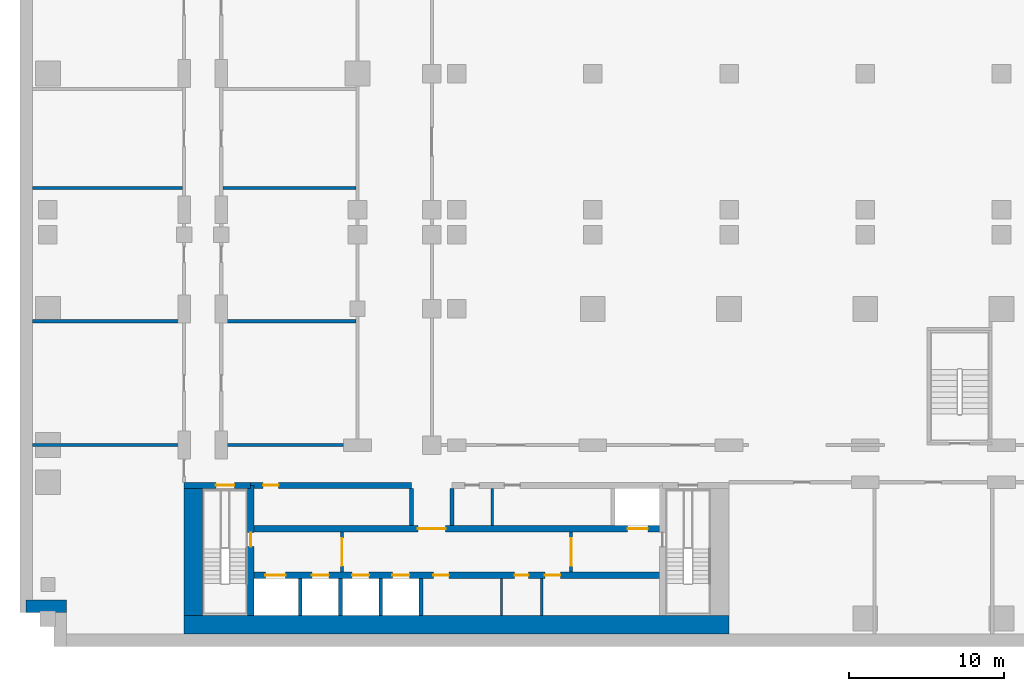
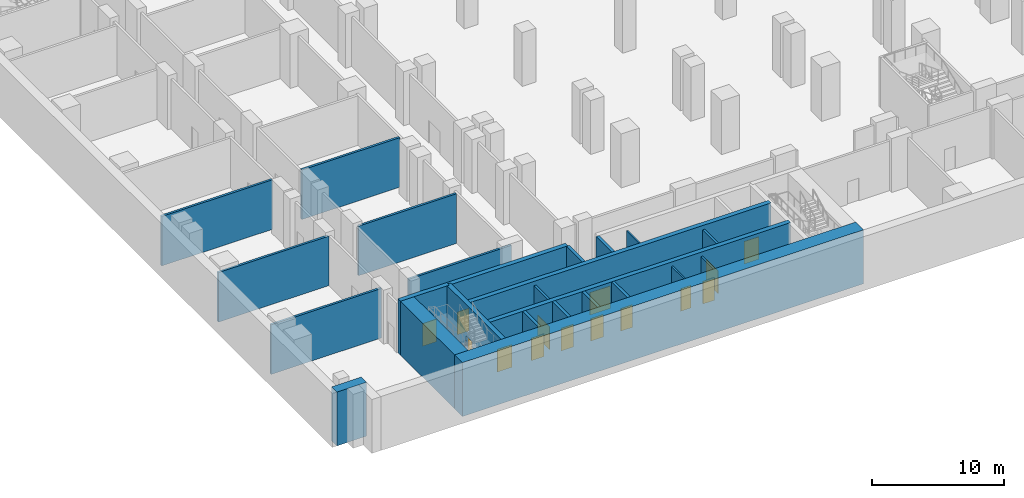
# One storey, part 2 of 12: 25 walls, 14 doors, 14 openings.
"""IFC4 building model written with IfcOpenShell, lengths in metres."""

from ifc_helpers import new_model, si_unit, direction, frame, frame_2d, origin, place, context, subcontext, project, spatial, rectangle, extrude, material, layer, layer_set, type_object, element, fill, save


model = new_model("IFC4")

# Units and contexts
model_context = context("Model", 3, precision=1e-05, world=origin(), true_north=direction((0.0, 1.0)))
body_context = subcontext(model_context, "Body", "Model", "MODEL_VIEW")
ifc_project = project(units=[si_unit("LENGTHUNIT", "METRE"), si_unit("AREAUNIT", "SQUARE_METRE"), si_unit("VOLUMEUNIT", "CUBIC_METRE"), si_unit("PLANEANGLEUNIT", "RADIAN"), si_unit("MASSUNIT", "GRAM", prefix="KILO")], contexts=[model_context])

# Site, building, storey
site_placement = place(None, origin())
site = spatial("IfcSite", under=ifc_project, at=site_placement, CompositionType="ELEMENT")
building_placement = place(site_placement, origin())
building = spatial("IfcBuilding", under=site, at=building_placement, Name="Kemantara Hotel Tower", CompositionType="ELEMENT")
storey_placement = place(building_placement, frame((0.0, 0.0, -12.0)))
storey = spatial("IfcBuildingStorey", under=building, at=storey_placement, Name="B2", CompositionType="ELEMENT", Elevation=-12.0)

# Walls
ifc_material_1 = material(Name="Concrete fc 40 MPa", Category="concrete")
ifc_layer_1 = layer(ifc_material_1, 0.800048828125)
ifc_layer_set_1 = layer_set([ifc_layer_1], Name="Concrete fc 40 MPa")
wall_type_1 = type_object("IfcWallType", Name="BASEMENT PERIMETER WALL 800 FC40", PredefinedType="SHEAR", material=ifc_layer_set_1)
wall_1_placement = place(storey_placement, frame((2.199951171875, 1.800048828125, 0.0), z_axis=(0.0, 0.0, 1.0), x_axis=(-1.0, 0.0, 0.0)))
element("IfcWall", 1, at=wall_1_placement, inside=storey, type_object=wall_type_1, Name="BASEMENT PERIMETER WALL B2 6", PredefinedType="SHEAR", context=body_context, shape_type="SweptSolid", body=[
    extrude(rectangle(XDim=2.599853515625, YDim=0.800048828125, at=frame_2d((1.2998046875, 0.0))), origin(), (0.0, 0.0, 1.0), 5.0),
])
ifc_material_2 = material(Name="Concrete fc 70 MPa", Category="concrete")
ifc_layer_2 = layer(ifc_material_2, 1.199951171875)
ifc_layer_set_2 = layer_set([ifc_layer_2], Name="Concrete fc 70 MPa")
wall_type_2 = type_object("IfcWallType", Name="CORE WALL 1200 FC70", PredefinedType="SHEAR", material=ifc_layer_set_2)
wall_2_placement = place(storey_placement, frame((9.800048828125, 0.60009765625, 0.0), z_axis=(0.0, 0.0, 1.0), x_axis=(1.0, 0.0, 0.0)))
element("IfcWall", 2, at=wall_2_placement, inside=storey, type_object=wall_type_2, Name="CORE WALL CW-S", PredefinedType="SHEAR", context=body_context, shape_type="SweptSolid", body=[
    extrude(rectangle(XDim=35.199951171875, YDim=1.199951171875, at=frame_2d((17.60009765625, 0.0))), origin(), (0.0, 0.0, 1.0), 5.0),
])
wall_3_placement = place(storey_placement, frame((10.39990234375, 1.199951171875, 0.0), z_axis=(0.0, 0.0, 1.0), x_axis=(0.0, 1.0, 0.0)))
element("IfcWall", 3, at=wall_3_placement, inside=storey, type_object=wall_type_2, Name="CORE WALL CW-W", PredefinedType="SHEAR", context=body_context, shape_type="SweptSolid", body=[
    extrude(rectangle(XDim=8.60009765625, YDim=1.199951171875, at=frame_2d((4.300048828125, 0.0))), origin(), (0.0, 0.0, 1.0), 5.0),
])
ifc_layer_3 = layer(ifc_material_2, 0.25)
ifc_layer_set_3 = layer_set([ifc_layer_3], Name="Concrete fc 70 MPa")
wall_type_3 = type_object("IfcWallType", Name="CORE WALL 250 FC70", PredefinedType="SHEAR", material=ifc_layer_set_3)
for number, where, z_axis, x_axis, name in (
    (4, (17.300048828125, 1.199951171875, 0.0), (0.0, 0.0, 1.0), (0.0, 1.0, 0.0), "CORE WALL CW-DS17.3"),
    (5, (19.89990234375, 1.199951171875, 0.0), (0.0, 0.0, 1.0), (0.0, 1.0, 0.0), "CORE WALL CW-DS19.9"),
    (6, (22.5, 1.199951171875, 0.0), (0.0, 0.0, 1.0), (0.0, 1.0, 0.0), "CORE WALL CW-DS22.5"),
    (7, (25.10009765625, 1.199951171875, 0.0), (0.0, 0.0, 1.0), (0.0, 1.0, 0.0), "CORE WALL CW-DS25.1"),
):
    element("IfcWall", number, at=place(storey_placement, frame(where, z_axis=z_axis, x_axis=x_axis)), inside=storey, type_object=wall_type_3, Name=name, PredefinedType="SHEAR", context=body_context, shape_type="SweptSolid", body=[
        extrude(rectangle(XDim=2.400146484375, YDim=0.25, at=frame_2d((1.2001953125, 0.0))), origin(), (0.0, 0.0, 1.0), 5.0),
    ])
for number, where, z_axis, x_axis, name in (
    (8, (24.5, 7.0, 0.0), (0.0, 0.0, 1.0), (0.0, 1.0, 0.0), "CORE WALL CW-DN24.5"),
    (9, (27.10009765625, 7.0, 0.0), (0.0, 0.0, 1.0), (0.0, 1.0, 0.0), "CORE WALL CW-DN27.1"),
):
    element("IfcWall", number, at=place(storey_placement, frame(where, z_axis=z_axis, x_axis=x_axis)), inside=storey, type_object=wall_type_3, Name=name, PredefinedType="SHEAR", context=body_context, shape_type="SweptSolid", body=[
        extrude(rectangle(XDim=2.39990234375, YDim=0.25, at=frame_2d((1.199951171875, 0.0))), origin(), (0.0, 0.0, 1.0), 5.0),
    ])

# Wall, opening, door
ifc_layer_4 = layer(ifc_material_2, 0.39990234375)
ifc_layer_set_4 = layer_set([ifc_layer_4], Name="Concrete fc 70 MPa")
wall_type_4 = type_object("IfcWallType", Name="CORE WALL 400 FC70", PredefinedType="SHEAR", material=ifc_layer_set_4)
wall_4_placement = place(storey_placement, frame((9.800048828125, 9.60009765625, 0.0), z_axis=(0.0, 0.0, 1.0), x_axis=(1.0, 0.0, 0.0)))
wall_4 = element("IfcWall", 10, at=wall_4_placement, inside=storey, type_object=wall_type_4, Name="CORE WALL CW-N1", PredefinedType="SHEAR", context=body_context, shape_type="SweptSolid", body=[
    extrude(rectangle(XDim=4.300048828125, YDim=0.39990234375, at=frame_2d((2.14990234375, 0.0))), origin(), (0.0, 0.0, 1.0), 5.0),
])
opening_1_placement = place(wall_4_placement, frame((2.050048828125, 0.0, 0.0)))
opening_1 = element("IfcOpeningElement", 11, at=opening_1_placement, cuts=wall_4, Name="Opening C01-ST1-C", PredefinedType="OPENING", context=body_context, shape_type="SweptSolid", body=[
    extrude(rectangle(XDim=1.199951171875, YDim=2.10009765625, at=frame_2d((0.60009765625, 1.050048828125))), frame((0.0, 0.2099609375, 0.0), z_axis=(0.0, -1.0, 0.0), x_axis=(1.0, 0.0, 0.0)), (0.0, 0.0, 1.0), 0.419921875),
])
ifc_material_3 = material(Name="Steel fire door", Category="steel")
door_type_1 = type_object("IfcDoorType", Name="Fire door FD90 1200 x 2100", OperationType="NOTDEFINED", PredefinedType="DOOR", material=ifc_material_3)
door_1_placement = place(opening_1_placement, frame((1.199951171875, 0.0, 0.0), z_axis=(0.0, 0.0, 1.0), x_axis=(-1.0, 0.0, 0.0)))
door_1 = element("IfcDoor", 12, at=door_1_placement, inside=storey, type_object=door_type_1, Name="Stair ST1 door to corridor", OperationType="SINGLE_SWING_LEFT", OverallHeight=2.10009765625, OverallWidth=1.199951171875, PredefinedType="DOOR", context=body_context, shape_type="SweptSolid", body=[
    extrude(rectangle(XDim=1.199951171875, YDim=2.10009765625, at=frame_2d((0.60009765625, 1.050048828125))), frame((0.0, 0.02490234375, 0.0), z_axis=(0.0, -1.0, 0.0), x_axis=(1.0, 0.0, 0.0)), (0.0, 0.0, 1.0), 0.050048828125),
])
fill(opening_1, door_1)

wall_5_placement = place(storey_placement, frame((14.10009765625, 9.60009765625, 0.0), z_axis=(0.0, 0.0, 1.0), x_axis=(1.0, 0.0, 0.0)))
wall_5 = element("IfcWall", 13, at=wall_5_placement, inside=storey, type_object=wall_type_4, Name="CORE WALL CW-NN1", PredefinedType="SHEAR", context=body_context, shape_type="SweptSolid", body=[
    extrude(rectangle(XDim=10.39990234375, YDim=0.39990234375, at=frame_2d((5.199951171875, 0.0))), origin(), (0.0, 0.0, 1.0), 5.0),
])
opening_2_placement = place(wall_5_placement, frame((0.800048828125, 0.0, 0.0)))
opening_2 = element("IfcOpeningElement", 14, at=opening_2_placement, cuts=wall_5, Name="Opening C01-R-NW1", PredefinedType="OPENING", context=body_context, shape_type="SweptSolid", body=[
    extrude(rectangle(XDim=1.0, YDim=2.10009765625, at=frame_2d((0.5, 1.050048828125))), frame((0.0, 0.2099609375, 0.0), z_axis=(0.0, -1.0, 0.0), x_axis=(1.0, 0.0, 0.0)), (0.0, 0.0, 1.0), 0.419921875),
])
door_type_2 = type_object("IfcDoorType", Name="Fire door FD30S 1000 x 2100", OperationType="NOTDEFINED", PredefinedType="DOOR", material=ifc_material_3)
door_2_placement = place(opening_2_placement, frame((1.0, 0.0, 0.0), z_axis=(0.0, 0.0, 1.0), x_axis=(-1.0, 0.0, 0.0)))
door_2 = element("IfcDoor", 15, at=door_2_placement, inside=storey, type_object=door_type_2, Name="Waste Store door", OperationType="SINGLE_SWING_RIGHT", OverallHeight=2.10009765625, OverallWidth=1.0, PredefinedType="DOOR", context=body_context, shape_type="SweptSolid", body=[
    extrude(rectangle(XDim=1.0, YDim=2.10009765625, at=frame_2d((0.5, 1.050048828125))), frame((0.0, 0.02490234375, 0.0), z_axis=(0.0, -1.0, 0.0), x_axis=(1.0, 0.0, 0.0)), (0.0, 0.0, 1.0), 0.050048828125),
])
fill(opening_2, door_2)

# Wall, openings, doors
wall_6_placement = place(storey_placement, frame((14.10009765625, 3.800048828125, 0.0), z_axis=(0.0, 0.0, 1.0), x_axis=(1.0, 0.0, 0.0)))
wall_6 = element("IfcWall", 16, at=wall_6_placement, inside=storey, type_object=wall_type_4, Name="CORE WALL CW-L1", PredefinedType="SHEAR", context=body_context, shape_type="SweptSolid", body=[
    extrude(rectangle(XDim=26.599853515625, YDim=0.39990234375, at=frame_2d((13.2998046875, 0.0))), origin(), (0.0, 0.0, 1.0), 5.0),
])
opening_3_placement = place(wall_6_placement, frame((0.949951171875, 0.0, 0.0)))
opening_3 = element("IfcOpeningElement", 17, at=opening_3_placement, cuts=wall_6, Name="Opening C01-LD-FF1", PredefinedType="OPENING", context=body_context, shape_type="SweptSolid", body=[
    extrude(rectangle(XDim=1.300048828125, YDim=2.10009765625, at=frame_2d((0.64990234375, 1.050048828125))), frame((0.0, 0.2099609375, 0.0), z_axis=(0.0, -1.0, 0.0), x_axis=(1.0, 0.0, 0.0)), (0.0, 0.0, 1.0), 0.419921875),
])
opening_4_placement = place(wall_6_placement, frame((3.949951171875, 0.0, 0.0)))
opening_4 = element("IfcOpeningElement", 18, at=opening_4_placement, cuts=wall_6, Name="Opening C01-LD-SV1", PredefinedType="OPENING", context=body_context, shape_type="SweptSolid", body=[
    extrude(rectangle(XDim=1.10009765625, YDim=2.10009765625, at=frame_2d((0.550048828125, 1.050048828125))), frame((0.0, 0.2099609375, 0.0), z_axis=(0.0, -1.0, 0.0), x_axis=(1.0, 0.0, 0.0)), (0.0, 0.0, 1.0), 0.419921875),
])
opening_5_placement = place(wall_6_placement, frame((6.550048828125, 0.0, 0.0)))
opening_5 = element("IfcOpeningElement", 19, at=opening_5_placement, cuts=wall_6, Name="Opening C01-LD-SV2", PredefinedType="OPENING", context=body_context, shape_type="SweptSolid", body=[
    extrude(rectangle(XDim=1.10009765625, YDim=2.10009765625, at=frame_2d((0.550048828125, 1.050048828125))), frame((0.0, 0.2099609375, 0.0), z_axis=(0.0, -1.0, 0.0), x_axis=(1.0, 0.0, 0.0)), (0.0, 0.0, 1.0), 0.419921875),
])
opening_6_placement = place(wall_6_placement, frame((9.14990234375, 0.0, 0.0)))
opening_6 = element("IfcOpeningElement", 20, at=opening_6_placement, cuts=wall_6, Name="Opening C01-LD-SV3", PredefinedType="OPENING", context=body_context, shape_type="SweptSolid", body=[
    extrude(rectangle(XDim=1.10009765625, YDim=2.10009765625, at=frame_2d((0.550048828125, 1.050048828125))), frame((0.0, 0.2099609375, 0.0), z_axis=(0.0, -1.0, 0.0), x_axis=(1.0, 0.0, 0.0)), (0.0, 0.0, 1.0), 0.419921875),
])
opening_7_placement = place(wall_6_placement, frame((11.800048828125, 0.0, 0.0)))
opening_7 = element("IfcOpeningElement", 21, at=opening_7_placement, cuts=wall_6, Name="Opening C01-R-SM1", PredefinedType="OPENING", context=body_context, shape_type="SweptSolid", body=[
    extrude(rectangle(XDim=1.0, YDim=2.10009765625, at=frame_2d((0.5, 1.050048828125))), frame((0.0, 0.2099609375, 0.0), z_axis=(0.0, -1.0, 0.0), x_axis=(1.0, 0.0, 0.0)), (0.0, 0.0, 1.0), 0.419921875),
])
opening_8_placement = place(wall_6_placement, frame((17.050048828125, 0.0, 0.0)))
opening_8 = element("IfcOpeningElement", 22, at=opening_8_placement, cuts=wall_6, Name="Opening C01-R-SM2", PredefinedType="OPENING", context=body_context, shape_type="SweptSolid", body=[
    extrude(rectangle(XDim=0.89990234375, YDim=2.10009765625, at=frame_2d((0.449951171875, 1.050048828125))), frame((0.0, 0.2099609375, 0.0), z_axis=(0.0, -1.0, 0.0), x_axis=(1.0, 0.0, 0.0)), (0.0, 0.0, 1.0), 0.419921875),
])
opening_9_placement = place(wall_6_placement, frame((19.0, 0.0, 0.0)))
opening_9 = element("IfcOpeningElement", 23, at=opening_9_placement, cuts=wall_6, Name="Opening C01-R-SM3", PredefinedType="OPENING", context=body_context, shape_type="SweptSolid", body=[
    extrude(rectangle(XDim=1.0, YDim=2.10009765625, at=frame_2d((0.5, 1.050048828125))), frame((0.0, 0.2099609375, 0.0), z_axis=(0.0, -1.0, 0.0), x_axis=(1.0, 0.0, 0.0)), (0.0, 0.0, 1.0), 0.419921875),
])
door_3_placement = place(opening_7_placement, frame((1.0, 0.0, 0.0), z_axis=(0.0, 0.0, 1.0), x_axis=(-1.0, 0.0, 0.0)))
door_3 = element("IfcDoor", 24, at=door_3_placement, inside=storey, type_object=door_type_2, Name="Linen Store door", OperationType="SINGLE_SWING_RIGHT", OverallHeight=2.10009765625, OverallWidth=1.0, PredefinedType="DOOR", context=body_context, shape_type="SweptSolid", body=[
    extrude(rectangle(XDim=1.0, YDim=2.10009765625, at=frame_2d((0.5, 1.050048828125))), frame((0.0, 0.02490234375, 0.0), z_axis=(0.0, -1.0, 0.0), x_axis=(1.0, 0.0, 0.0)), (0.0, 0.0, 1.0), 0.050048828125),
])
fill(opening_7, door_3)
door_type_3 = type_object("IfcDoorType", Name="Fire door FD30S 900 x 2100", OperationType="NOTDEFINED", PredefinedType="DOOR", material=ifc_material_3)
door_4_placement = place(opening_8_placement, frame((0.89990234375, 0.0, 0.0), z_axis=(0.0, 0.0, 1.0), x_axis=(-1.0, 0.0, 0.0)))
door_4 = element("IfcDoor", 25, at=door_4_placement, inside=storey, type_object=door_type_3, Name="Staff Wc door", OperationType="SINGLE_SWING_LEFT", OverallHeight=2.10009765625, OverallWidth=0.89990234375, PredefinedType="DOOR", context=body_context, shape_type="SweptSolid", body=[
    extrude(rectangle(XDim=0.89990234375, YDim=2.10009765625, at=frame_2d((0.449951171875, 1.050048828125))), frame((0.0, 0.02490234375, 0.0), z_axis=(0.0, -1.0, 0.0), x_axis=(1.0, 0.0, 0.0)), (0.0, 0.0, 1.0), 0.050048828125),
])
fill(opening_8, door_4)
door_type_4 = type_object("IfcDoorType", Name="Fire door FD60 1000 x 2100", OperationType="NOTDEFINED", PredefinedType="DOOR", material=ifc_material_3)
door_5_placement = place(opening_9_placement, frame((1.0, 0.0, 0.0), z_axis=(0.0, 0.0, 1.0), x_axis=(-1.0, 0.0, 0.0)))
door_5 = element("IfcDoor", 26, at=door_5_placement, inside=storey, type_object=door_type_4, Name="Lv Switch Room door", OperationType="SINGLE_SWING_LEFT", OverallHeight=2.10009765625, OverallWidth=1.0, PredefinedType="DOOR", context=body_context, shape_type="SweptSolid", body=[
    extrude(rectangle(XDim=1.0, YDim=2.10009765625, at=frame_2d((0.5, 1.050048828125))), frame((0.0, 0.02490234375, 0.0), z_axis=(0.0, -1.0, 0.0), x_axis=(1.0, 0.0, 0.0)), (0.0, 0.0, 1.0), 0.050048828125),
])
fill(opening_9, door_5)
ifc_material_4 = material(Name="Stainless steel lift door", Category="steel")
door_type_5 = type_object("IfcDoorType", Name="Lift landing door 1100 x 2100 FD60", OperationType="DOUBLE_DOOR_SLIDING", PredefinedType="DOOR", material=ifc_material_4)
door_6_placement = place(opening_4_placement, origin())
door_6 = element("IfcDoor", 27, at=door_6_placement, inside=storey, type_object=door_type_5, Name="Lift SV1 landing door", OperationType="DOUBLE_DOOR_SLIDING", OverallHeight=2.10009765625, OverallWidth=1.10009765625, PredefinedType="DOOR", context=body_context, shape_type="SweptSolid", body=[
    extrude(rectangle(XDim=1.10009765625, YDim=2.10009765625, at=frame_2d((0.550048828125, 1.050048828125))), frame((0.0, 0.02490234375, 0.0), z_axis=(0.0, -1.0, 0.0), x_axis=(1.0, 0.0, 0.0)), (0.0, 0.0, 1.0), 0.050048828125),
])
fill(opening_4, door_6)
door_7_placement = place(opening_5_placement, origin())
door_7 = element("IfcDoor", 28, at=door_7_placement, inside=storey, type_object=door_type_5, Name="Lift SV2 landing door", OperationType="DOUBLE_DOOR_SLIDING", OverallHeight=2.10009765625, OverallWidth=1.10009765625, PredefinedType="DOOR", context=body_context, shape_type="SweptSolid", body=[
    extrude(rectangle(XDim=1.10009765625, YDim=2.10009765625, at=frame_2d((0.550048828125, 1.050048828125))), frame((0.0, 0.02490234375, 0.0), z_axis=(0.0, -1.0, 0.0), x_axis=(1.0, 0.0, 0.0)), (0.0, 0.0, 1.0), 0.050048828125),
])
fill(opening_5, door_7)
door_8_placement = place(opening_6_placement, origin())
door_8 = element("IfcDoor", 29, at=door_8_placement, inside=storey, type_object=door_type_5, Name="Lift SV3 landing door", OperationType="DOUBLE_DOOR_SLIDING", OverallHeight=2.10009765625, OverallWidth=1.10009765625, PredefinedType="DOOR", context=body_context, shape_type="SweptSolid", body=[
    extrude(rectangle(XDim=1.10009765625, YDim=2.10009765625, at=frame_2d((0.550048828125, 1.050048828125))), frame((0.0, 0.02490234375, 0.0), z_axis=(0.0, -1.0, 0.0), x_axis=(1.0, 0.0, 0.0)), (0.0, 0.0, 1.0), 0.050048828125),
])
fill(opening_6, door_8)
door_type_6 = type_object("IfcDoorType", Name="Lift landing door 1300 x 2100 FD90", OperationType="DOUBLE_DOOR_SLIDING", PredefinedType="DOOR", material=ifc_material_4)
door_9_placement = place(opening_3_placement, origin())
door_9 = element("IfcDoor", 30, at=door_9_placement, inside=storey, type_object=door_type_6, Name="Lift FF1 landing door", OperationType="DOUBLE_DOOR_SLIDING", OverallHeight=2.10009765625, OverallWidth=1.300048828125, PredefinedType="DOOR", context=body_context, shape_type="SweptSolid", body=[
    extrude(rectangle(XDim=1.300048828125, YDim=2.10009765625, at=frame_2d((0.64990234375, 1.050048828125))), frame((0.0, 0.02490234375, 0.0), z_axis=(0.0, -1.0, 0.0), x_axis=(1.0, 0.0, 0.0)), (0.0, 0.0, 1.0), 0.050048828125),
])
fill(opening_3, door_9)

wall_7_placement = place(storey_placement, frame((14.10009765625, 6.800048828125, 0.0), z_axis=(0.0, 0.0, 1.0), x_axis=(1.0, 0.0, 0.0)))
wall_7 = element("IfcWall", 31, at=wall_7_placement, inside=storey, type_object=wall_type_4, Name="CORE WALL CW-L2", PredefinedType="SHEAR", context=body_context, shape_type="SweptSolid", body=[
    extrude(rectangle(XDim=26.599853515625, YDim=0.39990234375, at=frame_2d((13.2998046875, 0.0))), origin(), (0.0, 0.0, 1.0), 5.0),
])
opening_10_placement = place(wall_7_placement, frame((10.800048828125, 0.0, 0.0)))
opening_10 = element("IfcOpeningElement", 32, at=opening_10_placement, cuts=wall_7, Name="Opening C01-VL", PredefinedType="OPENING", context=body_context, shape_type="SweptSolid", body=[
    extrude(rectangle(XDim=1.800048828125, YDim=2.10009765625, at=frame_2d((0.89990234375, 1.050048828125))), frame((0.0, 0.2099609375, 0.0), z_axis=(0.0, -1.0, 0.0), x_axis=(1.0, 0.0, 0.0)), (0.0, 0.0, 1.0), 0.419921875),
])
opening_11_placement = place(wall_7_placement, frame((24.35009765625, 0.0, 0.0)))
opening_11 = element("IfcOpeningElement", 33, at=opening_11_placement, cuts=wall_7, Name="Opening C01-LD-FF2", PredefinedType="OPENING", context=body_context, shape_type="SweptSolid", body=[
    extrude(rectangle(XDim=1.300048828125, YDim=2.10009765625, at=frame_2d((0.64990234375, 1.050048828125))), frame((0.0, 0.2099609375, 0.0), z_axis=(0.0, -1.0, 0.0), x_axis=(1.0, 0.0, 0.0)), (0.0, 0.0, 1.0), 0.419921875),
])
door_type_7 = type_object("IfcDoorType", Name="Fire door pair FD60 1800 x 2100", OperationType="DOUBLE_DOOR_SINGLE_SWING", PredefinedType="DOOR", material=ifc_material_3)
door_10_placement = place(opening_10_placement, frame((1.800048828125, 0.0, 0.0), z_axis=(0.0, 0.0, 1.0), x_axis=(-1.0, 0.0, 0.0)))
door_10 = element("IfcDoor", 34, at=door_10_placement, inside=storey, type_object=door_type_7, Name="Lift lobby entry door", OperationType="DOUBLE_DOOR_SINGLE_SWING", OverallHeight=2.10009765625, OverallWidth=1.800048828125, PredefinedType="DOOR", context=body_context, shape_type="SweptSolid", body=[
    extrude(rectangle(XDim=1.800048828125, YDim=2.10009765625, at=frame_2d((0.89990234375, 1.050048828125))), frame((0.0, 0.02490234375, 0.0), z_axis=(0.0, -1.0, 0.0), x_axis=(1.0, 0.0, 0.0)), (0.0, 0.0, 1.0), 0.050048828125),
])
fill(opening_10, door_10)
door_11_placement = place(opening_11_placement, origin())
door_11 = element("IfcDoor", 35, at=door_11_placement, inside=storey, type_object=door_type_6, Name="Lift FF2 landing door", OperationType="DOUBLE_DOOR_SLIDING", OverallHeight=2.10009765625, OverallWidth=1.300048828125, PredefinedType="DOOR", context=body_context, shape_type="SweptSolid", body=[
    extrude(rectangle(XDim=1.300048828125, YDim=2.10009765625, at=frame_2d((0.64990234375, 1.050048828125))), frame((0.0, 0.02490234375, 0.0), z_axis=(0.0, -1.0, 0.0), x_axis=(1.0, 0.0, 0.0)), (0.0, 0.0, 1.0), 0.050048828125),
])
fill(opening_11, door_11)

# Wall, opening, door
wall_8_placement = place(storey_placement, frame((14.10009765625, 1.199951171875, 0.0), z_axis=(0.0, 0.0, 1.0), x_axis=(0.0, 1.0, 0.0)))
wall_8 = element("IfcWall", 36, at=wall_8_placement, inside=storey, type_object=wall_type_4, Name="CORE WALL CW-ST1E", PredefinedType="SHEAR", context=body_context, shape_type="SweptSolid", body=[
    extrude(rectangle(XDim=8.400146484375, YDim=0.39990234375, at=frame_2d((4.2001953125, 0.0))), origin(), (0.0, 0.0, 1.0), 5.0),
])
opening_12_placement = place(wall_8_placement, frame((4.449951171875, 0.0, 0.0)))
opening_12 = element("IfcOpeningElement", 37, at=opening_12_placement, cuts=wall_8, Name="Opening C01-ST1-F", PredefinedType="OPENING", context=body_context, shape_type="SweptSolid", body=[
    extrude(rectangle(XDim=0.89990234375, YDim=2.10009765625, at=frame_2d((0.449951171875, 1.050048828125))), frame((0.0, 0.2099609375, 0.0), z_axis=(0.0, -1.0, 0.0), x_axis=(1.0, 0.0, 0.0)), (0.0, 0.0, 1.0), 0.419921875),
])
door_type_8 = type_object("IfcDoorType", Name="Fire door FD90 900 x 2100", OperationType="NOTDEFINED", PredefinedType="DOOR", material=ifc_material_3)
door_12_placement = place(opening_12_placement, origin())
door_12 = element("IfcDoor", 38, at=door_12_placement, inside=storey, type_object=door_type_8, Name="Stair ST1 door to firefighting lobby", OperationType="SINGLE_SWING_RIGHT", OverallHeight=2.10009765625, OverallWidth=0.89990234375, PredefinedType="DOOR", context=body_context, shape_type="SweptSolid", body=[
    extrude(rectangle(XDim=0.89990234375, YDim=2.10009765625, at=frame_2d((0.449951171875, 1.050048828125))), frame((0.0, 0.02490234375, 0.0), z_axis=(0.0, -1.0, 0.0), x_axis=(1.0, 0.0, 0.0)), (0.0, 0.0, 1.0), 0.050048828125),
])
fill(opening_12, door_12)

# Walls
ifc_material_5 = material(Name="Fire-rated gypsum board partition")
ifc_layer_5 = layer(ifc_material_5, 0.199951171875)
ifc_layer_set_5 = layer_set([ifc_layer_5], Name="Fire-rated gypsum board partition")
wall_type_5 = type_object("IfcWallType", Name="FIRE-RATED GYPSUM PARTITION 200 EI 60", PredefinedType="PARTITIONING", material=ifc_layer_set_5)
wall_9_placement = place(storey_placement, frame((12.10009765625, 12.199951171875, 0.0), z_axis=(0.0, 0.0, 1.0), x_axis=(1.0, 0.0, 0.0)))
element("IfcWall", 39, at=wall_9_placement, inside=storey, type_object=wall_type_5, Name="FIRE-RATED PARTITION", PredefinedType="PARTITIONING", context=body_context, shape_type="SweptSolid", body=[
    extrude(rectangle(XDim=9.0, YDim=0.199951171875, at=frame_2d((4.5, 0.0))), origin(), (0.0, 0.0, 1.0), 4.597900390625),
])
ifc_material_6 = material(Name="Gypsum board partition")
ifc_layer_6 = layer(ifc_material_6, 0.199951171875)
ifc_layer_set_6 = layer_set([ifc_layer_6], Name="Gypsum board partition")
wall_type_6 = type_object("IfcWallType", Name="GYPSUM BOARD PARTITION 200", PredefinedType="PARTITIONING", material=ifc_layer_set_6)
for number, where, z_axis, x_axis, name in (
    (40, (0.0, 12.199951171875, 0.0), (0.0, 0.0, 1.0), (1.0, 0.0, 0.0), "PARTITION"),
    (41, (0.0, 20.199951171875, 0.0), (0.0, 0.0, 1.0), (1.0, 0.0, 0.0), "PARTITION"),
):
    element("IfcWall", number, at=place(storey_placement, frame(where, z_axis=z_axis, x_axis=x_axis)), inside=storey, type_object=wall_type_6, Name=name, PredefinedType="PARTITIONING", context=body_context, shape_type="SweptSolid", body=[
        extrude(rectangle(XDim=9.699951171875, YDim=0.199951171875, at=frame_2d((4.85009765625, 0.0))), origin(), (0.0, 0.0, 1.0), 4.597900390625),
    ])
wall_10_placement = place(storey_placement, frame((12.300048828125, 20.199951171875, 0.0), z_axis=(0.0, 0.0, 1.0), x_axis=(1.0, 0.0, 0.0)))
element("IfcWall", 42, at=wall_10_placement, inside=storey, type_object=wall_type_6, Name="PARTITION", PredefinedType="PARTITIONING", context=body_context, shape_type="SweptSolid", body=[
    extrude(rectangle(XDim=8.599853515625, YDim=0.199951171875, at=frame_2d((4.2998046875, 0.0))), origin(), (0.0, 0.0, 1.0), 4.597900390625),
])
wall_11_placement = place(storey_placement, frame((0.0, 28.800048828125, 0.0), z_axis=(0.0, 0.0, 1.0), x_axis=(1.0, 0.0, 0.0)))
element("IfcWall", 43, at=wall_11_placement, inside=storey, type_object=wall_type_6, Name="PARTITION", PredefinedType="PARTITIONING", context=body_context, shape_type="SweptSolid", body=[
    extrude(rectangle(XDim=9.699951171875, YDim=0.199951171875, at=frame_2d((4.85009765625, 0.0))), origin(), (0.0, 0.0, 1.0), 4.597900390625),
])
wall_12_placement = place(storey_placement, frame((12.300048828125, 28.800048828125, 0.0), z_axis=(0.0, 0.0, 1.0), x_axis=(1.0, 0.0, 0.0)))
element("IfcWall", 44, at=wall_12_placement, inside=storey, type_object=wall_type_6, Name="PARTITION", PredefinedType="PARTITIONING", context=body_context, shape_type="SweptSolid", body=[
    extrude(rectangle(XDim=8.599853515625, YDim=0.199951171875, at=frame_2d((4.2998046875, 0.0))), origin(), (0.0, 0.0, 1.0), 4.597900390625),
])
ifc_layer_7 = layer(ifc_material_6, 0.14990234375)
ifc_layer_set_7 = layer_set([ifc_layer_7], Name="Gypsum board partition")
wall_type_7 = type_object("IfcWallType", Name="Gypsum board partition 150 mm", PredefinedType="PARTITIONING", material=ifc_layer_set_7)
wall_13_placement = place(storey_placement, frame((29.699951171875, 7.0, 0.0), z_axis=(0.0, 0.0, 1.0), x_axis=(0.0, 1.0, 0.0)))
element("IfcWall", 45, at=wall_13_placement, inside=storey, type_object=wall_type_7, Name="Core room partition", PredefinedType="PARTITIONING", context=body_context, shape_type="SweptSolid", body=[
    extrude(rectangle(XDim=2.39990234375, YDim=0.14990234375, at=frame_2d((1.199951171875, 0.0))), origin(), (0.0, 0.0, 1.0), 4.597900390625),
])
for number, where, z_axis, x_axis, name in (
    (46, (30.300048828125, 1.199951171875, 0.0), (0.0, 0.0, 1.0), (0.0, 1.0, 0.0), "Core room partition"),
    (47, (32.89990234375, 1.199951171875, 0.0), (0.0, 0.0, 1.0), (0.0, 1.0, 0.0), "Core room partition"),
):
    element("IfcWall", number, at=place(storey_placement, frame(where, z_axis=z_axis, x_axis=x_axis)), inside=storey, type_object=wall_type_7, Name=name, PredefinedType="PARTITIONING", context=body_context, shape_type="SweptSolid", body=[
        extrude(rectangle(XDim=2.400146484375, YDim=0.14990234375, at=frame_2d((1.2001953125, 0.0))), origin(), (0.0, 0.0, 1.0), 4.597900390625),
    ])

# Wall, opening, door
ifc_material_7 = material(Name="Gypsum board shaft wall")
ifc_layer_8 = layer(ifc_material_7, 0.199951171875)
ifc_layer_set_8 = layer_set([ifc_layer_8], Name="Gypsum board shaft wall")
wall_type_8 = type_object("IfcWallType", Name="Gypsum board shaft wall 200 mm", PredefinedType="PARTITIONING", material=ifc_layer_set_8)
wall_14_placement = place(storey_placement, frame((20.0, 4.0, 0.0), z_axis=(0.0, 0.0, 1.0), x_axis=(0.0, 1.0, 0.0)))
wall_14 = element("IfcWall", 48, at=wall_14_placement, inside=storey, type_object=wall_type_8, Name="Firefighting lobby partition west", PredefinedType="PARTITIONING", context=body_context, shape_type="SweptSolid", body=[
    extrude(rectangle(XDim=2.60009765625, YDim=0.199951171875, at=frame_2d((1.300048828125, 0.0))), origin(), (0.0, 0.0, 1.0), 4.597900390625),
])
opening_13_placement = place(wall_14_placement, frame((0.39990234375, 0.0, 0.0)))
opening_13 = element("IfcOpeningElement", 49, at=opening_13_placement, cuts=wall_14, Name="Opening C01-FFW", PredefinedType="OPENING", context=body_context, shape_type="SweptSolid", body=[
    extrude(rectangle(XDim=1.800048828125, YDim=2.10009765625, at=frame_2d((0.89990234375, 1.050048828125))), frame((0.0, 0.10986328125, 0.0), z_axis=(0.0, -1.0, 0.0), x_axis=(1.0, 0.0, 0.0)), (0.0, 0.0, 1.0), 0.219970703125),
])
door_13_placement = place(opening_13_placement, origin())
door_13 = element("IfcDoor", 50, at=door_13_placement, inside=storey, type_object=door_type_7, Name="Firefighting lobby door west", OperationType="DOUBLE_DOOR_SINGLE_SWING", OverallHeight=2.10009765625, OverallWidth=1.800048828125, PredefinedType="DOOR", context=body_context, shape_type="SweptSolid", body=[
    extrude(rectangle(XDim=1.800048828125, YDim=2.10009765625, at=frame_2d((0.89990234375, 1.050048828125))), frame((0.0, 0.02490234375, 0.0), z_axis=(0.0, -1.0, 0.0), x_axis=(1.0, 0.0, 0.0)), (0.0, 0.0, 1.0), 0.050048828125),
])
fill(opening_13, door_13)

wall_15_placement = place(storey_placement, frame((34.800048828125, 4.0, 0.0), z_axis=(0.0, 0.0, 1.0), x_axis=(0.0, 1.0, 0.0)))
wall_15 = element("IfcWall", 51, at=wall_15_placement, inside=storey, type_object=wall_type_8, Name="Firefighting lobby partition east", PredefinedType="PARTITIONING", context=body_context, shape_type="SweptSolid", body=[
    extrude(rectangle(XDim=2.60009765625, YDim=0.199951171875, at=frame_2d((1.300048828125, 0.0))), origin(), (0.0, 0.0, 1.0), 4.597900390625),
])
opening_14_placement = place(wall_15_placement, frame((0.39990234375, 0.0, 0.0)))
opening_14 = element("IfcOpeningElement", 52, at=opening_14_placement, cuts=wall_15, Name="Opening C01-FFE", PredefinedType="OPENING", context=body_context, shape_type="SweptSolid", body=[
    extrude(rectangle(XDim=1.800048828125, YDim=2.10009765625, at=frame_2d((0.89990234375, 1.050048828125))), frame((0.0, 0.10986328125, 0.0), z_axis=(0.0, -1.0, 0.0), x_axis=(1.0, 0.0, 0.0)), (0.0, 0.0, 1.0), 0.219970703125),
])
door_14_placement = place(opening_14_placement, frame((1.800048828125, 0.0, 0.0), z_axis=(0.0, 0.0, 1.0), x_axis=(-1.0, 0.0, 0.0)))
door_14 = element("IfcDoor", 53, at=door_14_placement, inside=storey, type_object=door_type_7, Name="Firefighting lobby door east", OperationType="DOUBLE_DOOR_SINGLE_SWING", OverallHeight=2.10009765625, OverallWidth=1.800048828125, PredefinedType="DOOR", context=body_context, shape_type="SweptSolid", body=[
    extrude(rectangle(XDim=1.800048828125, YDim=2.10009765625, at=frame_2d((0.89990234375, 1.050048828125))), frame((0.0, 0.02490234375, 0.0), z_axis=(0.0, -1.0, 0.0), x_axis=(1.0, 0.0, 0.0)), (0.0, 0.0, 1.0), 0.050048828125),
])
fill(opening_14, door_14)

save(model, "model.ifc")
